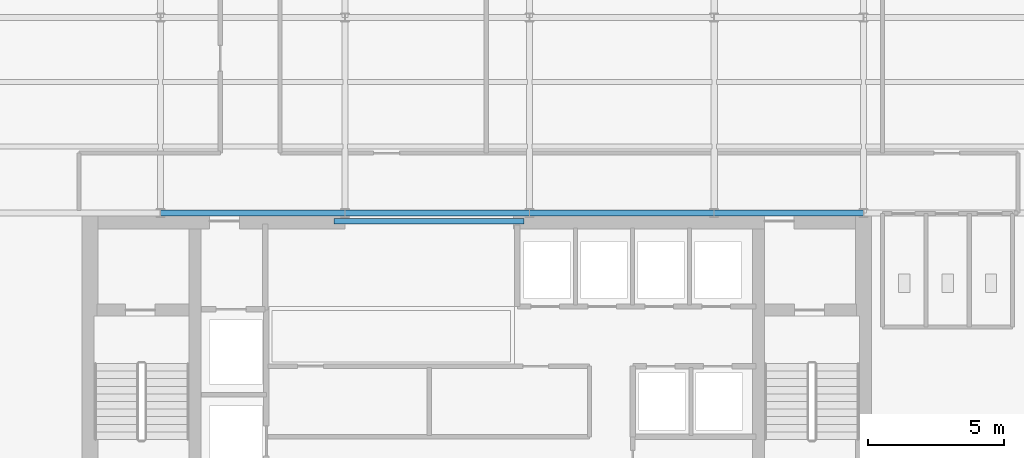
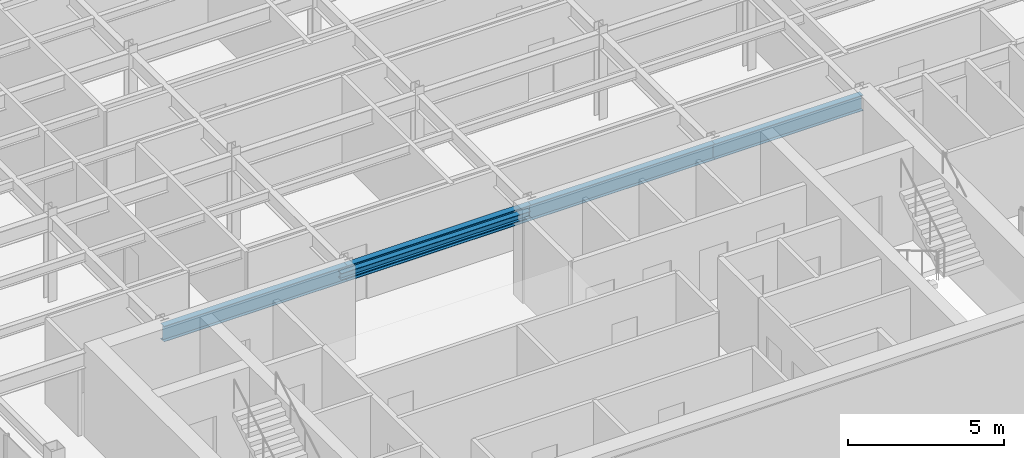
# One storey, part 4 of 22: 5 beams.
"""IFC4 building model written with IfcOpenShell, lengths in metres."""

from ifc_helpers import new_model, si_unit, derived_unit, direction, frame, origin, origin_2d, place, context, subcontext, project, spatial, i_section, extrude, source, transform, mapped, material, material_profile, profile_set, type_object, element, save


model = new_model("IFC4")

# Units and contexts
model_context = context("Model", 3, precision=1e-05, world=origin(), true_north=direction((0.0, 1.0)))
body_context = subcontext(model_context, "Body", "Model", "MODEL_VIEW")
ifc_project = project(units=[si_unit("LENGTHUNIT", "METRE"), si_unit("AREAUNIT", "SQUARE_METRE"), si_unit("VOLUMEUNIT", "CUBIC_METRE"), si_unit("PLANEANGLEUNIT", "RADIAN"), si_unit("MASSUNIT", "GRAM", prefix="KILO"), derived_unit("THERMALTRANSMITTANCEUNIT", [(si_unit("POWERUNIT", "WATT"), 1), (si_unit("LENGTHUNIT", "METRE"), -2), (si_unit("THERMODYNAMICTEMPERATUREUNIT", "KELVIN"), -1)])], contexts=[model_context])

# Site, building, storey
site_placement = place(None, origin())
site = spatial("IfcSite", under=ifc_project, at=site_placement, CompositionType="ELEMENT")
building_placement = place(site_placement, origin())
building = spatial("IfcBuilding", under=site, at=building_placement, Name="Skarnbrae Concourse Arena and Tower", CompositionType="ELEMENT")
storey_placement = place(building_placement, frame((0.0, 0.0, 232.39990234375)))
storey = spatial("IfcBuildingStorey", under=building, at=storey_placement, Name="L60", CompositionType="ELEMENT", Elevation=232.39990234375)

# Beams
ifc_material = material(Name="Steel CSA G40.21 350W", Category="steel")
ifc_material_profile_1 = material_profile(ifc_material, i_section(OverallWidth=0.202880859375, OverallDepth=0.251953125, WebThickness=0.008056640625, FlangeThickness=0.013427734375, at=origin_2d()), Name="W250X58")
ifc_profile_set_1 = profile_set([ifc_material_profile_1], Name="Steel CSA G40.21 350W")
beam_type_1 = type_object("IfcBeamType", Name="BM-LINTEL-W250X58", PredefinedType="LINTEL", material=ifc_profile_set_1)
shared_shape_1 = source(origin(), body_context, "Body", "SweptSolid", [
    extrude(i_section(OverallWidth=0.202880859375, OverallDepth=0.251953125, WebThickness=0.008056640625, FlangeThickness=0.013427734375, at=origin_2d()), origin(), (0.0, 0.0, 1.0), 7.0),
])
beam_1_placement = place(storey_placement, frame((14.0, 13.699951171875, 3.22412109375), z_axis=(1.0, 0.0, 0.0), x_axis=(0.0, 1.0, 0.0)))
element("IfcBeam", 1, at=beam_1_placement, inside=storey, type_object=beam_type_1, Name="L60 Core portal coupling lintel", PredefinedType="LINTEL", context=body_context, shape_type="MappedRepresentation", body=[
    mapped(shared_shape_1, transform((0.0, 0.0, 0.0))),
])
ifc_material_profile_2 = material_profile(ifc_material, i_section(OverallWidth=0.22802734375, OverallDepth=0.60791015625, WebThickness=0.01123046875, FlangeThickness=0.017333984375, at=origin_2d()), Name="W610X113")
ifc_profile_set_2 = profile_set([ifc_material_profile_2], Name="Steel CSA G40.21 350W")
beam_type_2 = type_object("IfcBeamType", Name="BM-GIRD-W610X113", PredefinedType="BEAM", material=ifc_profile_set_2)
shared_shape_2 = source(origin(), body_context, "Body", "SweptSolid", [
    extrude(i_section(OverallWidth=0.22802734375, OverallDepth=0.60791015625, WebThickness=0.01123046875, FlangeThickness=0.017333984375, at=origin_2d()), origin(), (0.0, 0.0, 1.0), 6.7998046875),
])
beam_2_placement = place(storey_placement, frame((7.60009765625, 14.0, 3.046142578125), z_axis=(1.0, 0.0, 0.0), x_axis=(0.0, 1.0, 0.0)))
element("IfcBeam", 2, at=beam_2_placement, inside=storey, type_object=beam_type_2, Name="L60 Primary E-W girder Y14.0-2", PredefinedType="BEAM", context=body_context, shape_type="MappedRepresentation", body=[
    mapped(shared_shape_2, transform((0.0, 0.0, 0.0))),
])
shared_shape_3 = source(origin(), body_context, "Body", "SweptSolid", [
    extrude(i_section(OverallWidth=0.22802734375, OverallDepth=0.60791015625, WebThickness=0.01123046875, FlangeThickness=0.017333984375, at=origin_2d()), origin(), (0.0, 0.0, 1.0), 6.800048828125),
])
for number, where, z_axis, x_axis, name in (
    (3, (14.39990234375, 14.0, 3.046142578125), (1.0, 0.0, 0.0), (0.0, 1.0, 0.0), "L60 Primary E-W girder Y14.0-3"),
    (4, (21.199951171875, 14.0, 3.046142578125), (1.0, 0.0, 0.0), (0.0, 1.0, 0.0), "L60 Primary E-W girder Y14.0-4"),
):
    element("IfcBeam", number, at=place(storey_placement, frame(where, z_axis=z_axis, x_axis=x_axis)), inside=storey, type_object=beam_type_2, Name=name, PredefinedType="BEAM", context=body_context, shape_type="MappedRepresentation", body=[
        mapped(shared_shape_3, transform((0.0, 0.0, 0.0))),
    ])
shared_shape_4 = source(origin(), body_context, "Body", "SweptSolid", [
    extrude(i_section(OverallWidth=0.22802734375, OverallDepth=0.60791015625, WebThickness=0.01123046875, FlangeThickness=0.017333984375, at=origin_2d()), origin(), (0.0, 0.0, 1.0), 5.5),
])
beam_3_placement = place(storey_placement, frame((28.0, 14.0, 3.046142578125), z_axis=(1.0, 0.0, 0.0), x_axis=(0.0, 1.0, 0.0)))
element("IfcBeam", 5, at=beam_3_placement, inside=storey, type_object=beam_type_2, Name="L60 Primary E-W girder Y14.0-5", PredefinedType="BEAM", context=body_context, shape_type="MappedRepresentation", body=[
    mapped(shared_shape_4, transform((0.0, 0.0, 0.0))),
])

save(model, "model.ifc")
